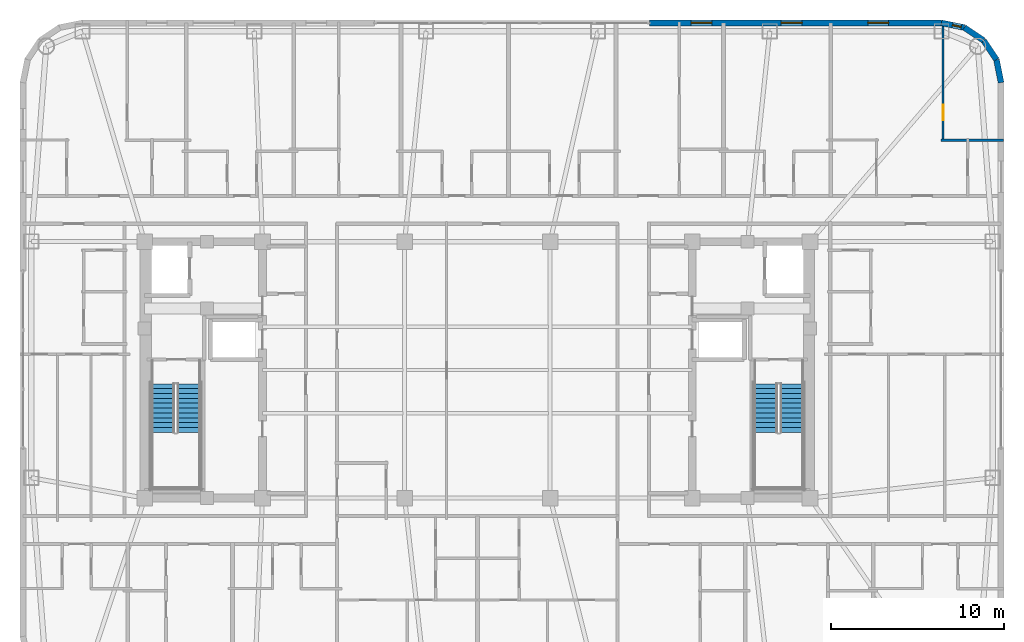
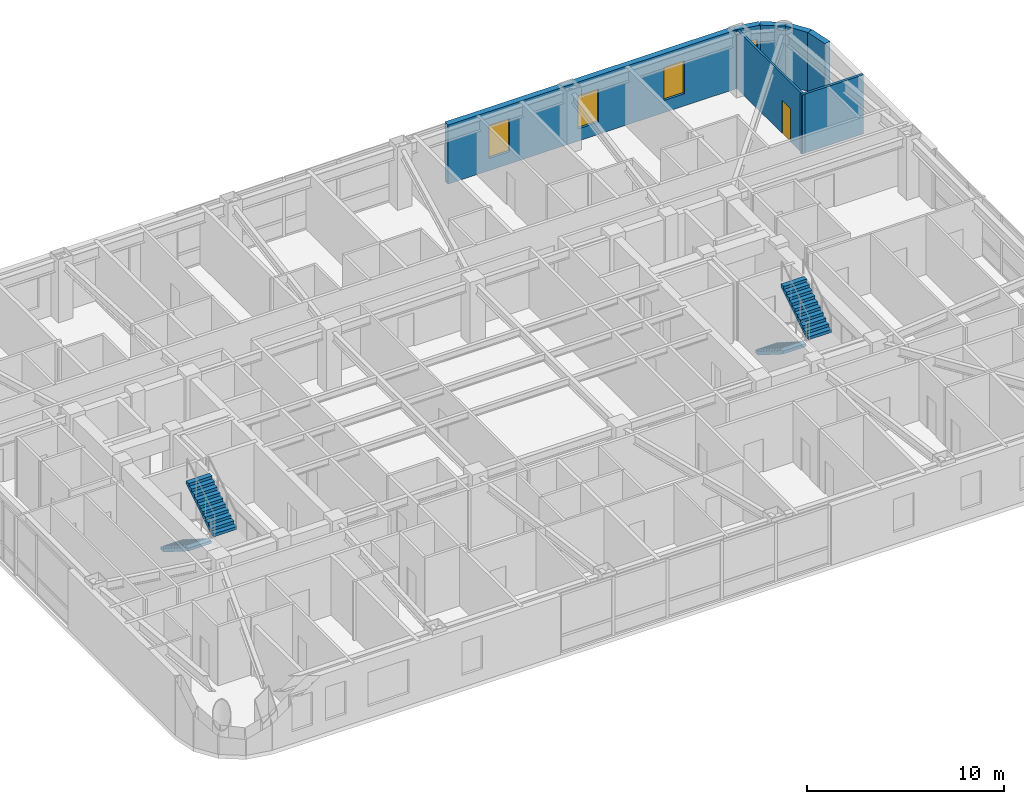
# One storey, part 27 of 29: 7 walls, 4 stair flights, 4 windows, 1 door, 5 openings, 2 elements without a shape of their own.
"""IFC4 building model written with IfcOpenShell, lengths in metres."""

import ifcopenshell
import ifcopenshell.guid

model = None  # the IFC model being written
_history = None  # IfcOwnerHistory: only IFC2X3 demands one
_inside = {}  # id of a spatial element -> (the spatial element, [elements in it])
_under = {}  # id of a project, library or spatial element -> (it, [spatial elements below it])
_declared = {}  # id of a project -> (the project, [libraries it declares])
_typed = {}  # id of a type object -> (the type object, [elements of that type])
_made_of = {}  # id of a material, layer set ... -> (it, [elements and type objects made of it])


def new_model(schema):
    """Start an empty IFC model of exactly this schema.

    Asked for "IFC4X3", IfcOpenShell would pick the latest addendum, in which some entities
    have other attributes; the version numbers below select the first issue.
    IFC2X3 requires an IfcOwnerHistory on every rooted entity: one is made here for all.
    """
    global model, _history
    if schema == "IFC4X3":
        model = ifcopenshell.file(schema_version=(4, 3, 0, 0))
    else:
        model = ifcopenshell.file(schema=schema)
    _inside.clear()
    _under.clear()
    _declared.clear()
    _typed.clear()
    _made_of.clear()
    _history = None
    if model.schema == "IFC2X3":
        org = make("IfcOrganization", Name="unknown")
        user = make(
            "IfcPersonAndOrganization",
            ThePerson=make("IfcPerson", FamilyName="unknown"),
            TheOrganization=org,
        )
        app = make(
            "IfcApplication",
            ApplicationDeveloper=org,
            Version="unknown",
            ApplicationFullName="unknown",
            ApplicationIdentifier="unknown",
        )
        _history = make(
            "IfcOwnerHistory",
            OwningUser=user,
            OwningApplication=app,
            ChangeAction="ADDED",
            CreationDate=0,
        )
    return model


def make(cls, **values):
    """One entity of the class cls with the attributes given. An attribute that is None is left unset."""
    return model.create_entity(
        cls, **{name: value for name, value in values.items() if value is not None}
    )


def rooted(cls, **values):
    """An entity with a GlobalId (a new one), such as an element, a storey or a relation."""
    return make(cls, GlobalId=ifcopenshell.guid.new(), OwnerHistory=_history, **values)


def si_unit(unit_type, name, prefix=None):
    """IfcSIUnit, for example si_unit("LENGTHUNIT", "METRE", prefix="MILLI")."""
    return make("IfcSIUnit", UnitType=unit_type, Prefix=prefix, Name=name)


def assignment(units):
    """IfcUnitAssignment: the units of a project."""
    return None if units is None else make("IfcUnitAssignment", Units=units)


def point(xyz):
    """IfcCartesianPoint."""
    return None if xyz is None else make("IfcCartesianPoint", Coordinates=xyz)


def direction(xyz):
    """IfcDirection."""
    return None if xyz is None else make("IfcDirection", DirectionRatios=xyz)


def frame(location, z_axis=None, x_axis=None):
    """IfcAxis2Placement3D, a coordinate frame: its origin and axes. An axis left out is left unset."""
    return make(
        "IfcAxis2Placement3D",
        Location=point(location),
        Axis=direction(z_axis),
        RefDirection=direction(x_axis),
    )


def frame_2d(location, x_axis=None):
    """IfcAxis2Placement2D, a coordinate frame in the plane: its origin and x axis."""
    return make(
        "IfcAxis2Placement2D", Location=point(location), RefDirection=direction(x_axis)
    )


def origin():
    """The frame at (0, 0, 0) with its axes left unset."""
    return frame((0.0, 0.0, 0.0))


def place(relative_to, where):
    """IfcLocalPlacement: puts the frame where relative to a parent placement (None: the world)."""
    return make(
        "IfcLocalPlacement", PlacementRelTo=relative_to, RelativePlacement=where
    )


def context(
    kind, dimensions, precision=None, world=None, true_north=None, identifier=None
):
    """IfcGeometricRepresentationContext, for example the 3D "Model" context."""
    return make(
        "IfcGeometricRepresentationContext",
        ContextIdentifier=identifier,
        ContextType=kind,
        CoordinateSpaceDimension=dimensions,
        Precision=precision,
        WorldCoordinateSystem=world,
        TrueNorth=true_north,
    )


def subcontext(parent, identifier, kind, view, scale=None):
    """IfcGeometricRepresentationSubContext, for example "Body" below "Model"."""
    return make(
        "IfcGeometricRepresentationSubContext",
        ContextIdentifier=identifier,
        ContextType=kind,
        ParentContext=parent,
        TargetScale=scale,
        TargetView=view,
    )


def project(units=None, contexts=None):
    """IfcProject with its units and contexts."""
    return rooted(
        "IfcProject",
        Name="project",
        RepresentationContexts=contexts,
        UnitsInContext=assignment(units),
    )


def spatial(cls, under=None, at=None, **own):
    """A site, building, storey or space (cls), placed at a placement, below another one or the project."""
    s = rooted(cls, ObjectPlacement=at, **own)
    if under is not None:
        _under.setdefault(under.id(), (under, []))[1].append(s)
    return s


def polyline(points):
    """IfcPolyline through the points."""
    return make("IfcPolyline", Points=[point(p) for p in points])


def profile(cls, at=None, kind="AREA", **sizes):
    """A parametric profile (cls). Its sizes go by their IFC names, for example OverallWidth=200.0."""
    return make(cls, ProfileType=kind, Position=at, **sizes)


def rectangle(**sizes):
    """IfcRectangleProfileDef."""
    return profile("IfcRectangleProfileDef", **sizes)


def outline(outer, holes=None, kind="AREA"):
    """IfcArbitraryClosedProfileDef: a profile drawn as a closed curve; with holes, ...WithVoids."""
    if holes is None:
        return make("IfcArbitraryClosedProfileDef", ProfileType=kind, OuterCurve=outer)
    return make(
        "IfcArbitraryProfileDefWithVoids",
        ProfileType=kind,
        OuterCurve=outer,
        InnerCurves=holes,
    )


def extrude(swept, where, along, depth):
    """IfcExtrudedAreaSolid: the profile swept, set in the frame where, extruded along a direction by depth."""
    return make(
        "IfcExtrudedAreaSolid",
        SweptArea=swept,
        Position=where,
        ExtrudedDirection=direction(along),
        Depth=depth,
    )


def shape(context_of_items, identifier, shape_type, items):
    """IfcShapeRepresentation: the items that make up one representation, for example the "Body"."""
    return make(
        "IfcShapeRepresentation",
        ContextOfItems=context_of_items,
        RepresentationIdentifier=identifier,
        RepresentationType=shape_type,
        Items=items,
    )


def material(Name=None, Category=None):
    """IfcMaterial."""
    return make("IfcMaterial", Name=Name, Category=Category)


def layer(
    of_material, thickness, ventilated=None, Name=None, Category=None, Priority=None
):
    """IfcMaterialLayer: one layer of a wall or slab, of a material (None: an air gap)."""
    return make(
        "IfcMaterialLayer",
        Material=of_material,
        LayerThickness=thickness,
        IsVentilated=ventilated,
        Name=Name,
        Category=Category,
        Priority=Priority,
    )


def layer_set(layers, Name=None):
    """IfcMaterialLayerSet."""
    return make("IfcMaterialLayerSet", MaterialLayers=layers, LayerSetName=Name)


def made_of(thing, what):
    """Note that an element or type object is made of a material, layer set ...; save() writes the relation."""
    if what is not None:
        _made_of.setdefault(what.id(), (what, []))[1].append(thing)
    return thing


def type_object(cls, material=None, **own):
    """A type object (cls), such as IfcWallType, which elements share."""
    return made_of(rooted(cls, **own), material)


def element(
    cls,
    number,
    at=None,
    inside=None,
    cuts=None,
    type_object=None,
    material=None,
    context=None,
    identifier="Body",
    shape_type=None,
    held_by="IfcProductDefinitionShape",
    body=None,
    shapes=None,
    **own,
):
    """One element of the class cls, such as IfcWall. Its Tag is "e" and its number.

    at: its placement. inside: the storey or other place that contains it. cuts: it is an
    opening in that element (IfcRelVoidsElement). A single representation is given by context,
    identifier, shape_type and body (its items); several are given by shapes. held_by: the class
    of the entity that holds the representations. save() writes the other relations.
    """
    e = rooted(cls, Tag="e%d" % number, ObjectPlacement=at, **own)
    if body is not None:
        shapes = [shape(context, identifier, shape_type, body)]
    if shapes is not None:
        e.Representation = make(held_by, Representations=shapes)
    if inside is not None:
        _inside.setdefault(inside.id(), (inside, []))[1].append(e)
    if cuts is not None:
        rooted(
            "IfcRelVoidsElement", RelatingBuildingElement=cuts, RelatedOpeningElement=e
        )
    if type_object is not None:
        _typed.setdefault(type_object.id(), (type_object, []))[1].append(e)
    return made_of(e, material)


def fill(opening, filler):
    """IfcRelFillsElement: the door or window that sits in an opening."""
    return rooted(
        "IfcRelFillsElement",
        RelatingOpeningElement=opening,
        RelatedBuildingElement=filler,
    )


def aggregate(whole, parts):
    """IfcRelAggregates: a whole, such as a stair, and the parts it consists of."""
    return rooted("IfcRelAggregates", RelatingObject=whole, RelatedObjects=parts)


def save(model, path):
    """Write the relations noted so far, then the file.

    IfcRelAggregates (storeys below a building ...), IfcRelContainedInSpatialStructure (elements
    in a storey), IfcRelDefinesByType, IfcRelAssociatesMaterial and IfcRelDeclares: one each for
    every whole, place, type object, material and project.
    """
    for whole, parts in _under.values():
        aggregate(whole, parts)
    for where, things in _inside.values():
        rooted(
            "IfcRelContainedInSpatialStructure",
            RelatedElements=things,
            RelatingStructure=where,
        )
    for kind, things in _typed.values():
        rooted("IfcRelDefinesByType", RelatedObjects=things, RelatingType=kind)
    for what, things in _made_of.values():
        rooted("IfcRelAssociatesMaterial", RelatedObjects=things, RelatingMaterial=what)
    for by, libraries in _declared.values():
        rooted("IfcRelDeclares", RelatingContext=by, RelatedDefinitions=libraries)
    model.write(path)


model = new_model("IFC4")

# Units and contexts
model_context = context("Model", 3, precision=1e-05, world=origin(), true_north=direction((0.0, 1.0)))
body_context = subcontext(model_context, "Body", "Model", "MODEL_VIEW")
ifc_project = project(units=[si_unit("LENGTHUNIT", "METRE"), si_unit("AREAUNIT", "SQUARE_METRE"), si_unit("VOLUMEUNIT", "CUBIC_METRE"), si_unit("PLANEANGLEUNIT", "RADIAN"), si_unit("MASSUNIT", "GRAM", prefix="KILO")], contexts=[model_context])

# Site, building, storey
site_placement = place(None, origin())
site = spatial("IfcSite", under=ifc_project, at=site_placement, CompositionType="ELEMENT")
building_placement = place(site_placement, origin())
building = spatial("IfcBuilding", under=site, at=building_placement, Name="Voryun Gate Residences", CompositionType="ELEMENT")
storey_placement = place(building_placement, frame((0.0, 0.0, 211.89990234375)))
storey = spatial("IfcBuildingStorey", under=building, at=storey_placement, Name="L52", CompositionType="ELEMENT", Elevation=211.89990234375)

# Wall, openings, windows
ifc_material_1 = material(Name="Charcoal terracotta masonry", Category="masonry")
ifc_layer_1 = layer(ifc_material_1, 0.340087890625, Name="W_EXT_TERRACOTTA_340")
ifc_layer_set_1 = layer_set([ifc_layer_1], Name="Charcoal terracotta masonry")
wall_type_1 = type_object("IfcWallType", Name="W_EXT_TERRACOTTA_340", PredefinedType="ELEMENTEDWALL", material=ifc_layer_set_1)
wall_1_placement = place(storey_placement, frame((9.9306640625, 20.030029296875, 0.0), z_axis=(0.0, 0.0, 1.0), x_axis=(1.0, 0.0, 0.0)))
wall_1 = element("IfcWall", 1, at=wall_1_placement, inside=storey, type_object=wall_type_1, Name="Exterior wall WEXT-L52-11B", PredefinedType="ELEMENTEDWALL", context=body_context, shape_type="SweptSolid", body=[
    extrude(rectangle(XDim=16.8525390625, YDim=0.340087890625, at=frame_2d((8.42626953125, 0.0))), origin(), (0.0, 0.0, 1.0), 3.650146484375),
])
opening_1_placement = place(wall_1_placement, frame((2.40185546875, 0.0, 0.75)))
opening_1 = element("IfcOpeningElement", 2, at=opening_1_placement, cuts=wall_1, Name="Opening WN6", PredefinedType="OPENING", context=body_context, shape_type="SweptSolid", body=[
    extrude(rectangle(XDim=1.199951171875, YDim=2.050048828125, at=frame_2d((0.60009765625, 1.02490234375))), frame((0.0, 0.179931640625, 0.0), z_axis=(0.0, -1.0, 0.0), x_axis=(1.0, 0.0, 0.0)), (0.0, 0.0, 1.0), 0.360107421875),
])
opening_2_placement = place(wall_1_placement, frame((7.609375, 0.0, 0.75)))
opening_2 = element("IfcOpeningElement", 3, at=opening_2_placement, cuts=wall_1, Name="Opening WN6", PredefinedType="OPENING", context=body_context, shape_type="SweptSolid", body=[
    extrude(rectangle(XDim=1.199951171875, YDim=2.050048828125, at=frame_2d((0.60009765625, 1.02490234375))), frame((0.0, 0.179931640625, 0.0), z_axis=(0.0, -1.0, 0.0), x_axis=(1.0, 0.0, 0.0)), (0.0, 0.0, 1.0), 0.360107421875),
])
opening_3_placement = place(wall_1_placement, frame((12.615966796875, 0.0, 0.75)))
opening_3 = element("IfcOpeningElement", 4, at=opening_3_placement, cuts=wall_1, Name="Opening WN6", PredefinedType="OPENING", context=body_context, shape_type="SweptSolid", body=[
    extrude(rectangle(XDim=1.199951171875, YDim=2.050048828125, at=frame_2d((0.60009765625, 1.02490234375))), frame((0.0, 0.179931640625, 0.0), z_axis=(0.0, -1.0, 0.0), x_axis=(1.0, 0.0, 0.0)), (0.0, 0.0, 1.0), 0.360107421875),
])
ifc_material_2 = material(Name="Laminated low-E glass", Category="glass")
window_type_1 = type_object("IfcWindowType", Name="WN_POD_SLOT_1200", PartitioningType="SINGLE_PANEL", PredefinedType="WINDOW", material=ifc_material_2)
window_1_placement = place(opening_1_placement, origin())
window_1 = element("IfcWindow", 5, at=window_1_placement, inside=storey, type_object=window_type_1, Name="Window WN-L52-DWFIX-04", OverallHeight=2.050048828125, OverallWidth=1.199951171875, PartitioningType="SINGLE_PANEL", PredefinedType="WINDOW", context=body_context, shape_type="SweptSolid", body=[
    extrude(rectangle(XDim=1.199951171875, YDim=2.050048828125, at=frame_2d((0.60009765625, 1.02490234375))), frame((0.0, 0.030029296875, 0.0), z_axis=(0.0, -1.0, 0.0), x_axis=(1.0, 0.0, 0.0)), (0.0, 0.0, 1.0), 0.06005859375),
])
fill(opening_1, window_1)
window_2_placement = place(opening_2_placement, origin())
window_2 = element("IfcWindow", 6, at=window_2_placement, inside=storey, type_object=window_type_1, Name="Window WN-L52-DWFIX-05", OverallHeight=2.050048828125, OverallWidth=1.199951171875, PartitioningType="SINGLE_PANEL", PredefinedType="WINDOW", context=body_context, shape_type="SweptSolid", body=[
    extrude(rectangle(XDim=1.199951171875, YDim=2.050048828125, at=frame_2d((0.60009765625, 1.02490234375))), frame((0.0, 0.030029296875, 0.0), z_axis=(0.0, -1.0, 0.0), x_axis=(1.0, 0.0, 0.0)), (0.0, 0.0, 1.0), 0.06005859375),
])
fill(opening_2, window_2)
window_3_placement = place(opening_3_placement, origin())
window_3 = element("IfcWindow", 7, at=window_3_placement, inside=storey, type_object=window_type_1, Name="Window WN-L52-DWFIX-06", OverallHeight=2.050048828125, OverallWidth=1.199951171875, PartitioningType="SINGLE_PANEL", PredefinedType="WINDOW", context=body_context, shape_type="SweptSolid", body=[
    extrude(rectangle(XDim=1.199951171875, YDim=2.050048828125, at=frame_2d((0.60009765625, 1.02490234375))), frame((0.0, 0.030029296875, 0.0), z_axis=(0.0, -1.0, 0.0), x_axis=(1.0, 0.0, 0.0)), (0.0, 0.0, 1.0), 0.06005859375),
])
fill(opening_3, window_3)

# Wall, opening, window
wall_2_placement = place(storey_placement, frame((26.783203125, 20.030029296875, 0.0), z_axis=(0.0, 0.0, 1.0), x_axis=(0.980788153188, -0.195075878998, 0.0)))
wall_2 = element("IfcWall", 8, at=wall_2_placement, inside=storey, type_object=wall_type_1, Name="Exterior wall WEXT-L52-12", PredefinedType="ELEMENTEDWALL", context=body_context, shape_type="SweptSolid", body=[
    extrude(rectangle(XDim=1.354248046875, YDim=0.340087890625, at=frame_2d((0.67724609375, 0.0))), origin(), (0.0, 0.0, 1.0), 3.650146484375),
])
opening_4_placement = place(wall_2_placement, frame((0.656982421875, 0.0, 0.75)))
opening_4 = element("IfcOpeningElement", 9, at=opening_4_placement, cuts=wall_2, Name="Opening WN10", PredefinedType="OPENING", context=body_context, shape_type="SweptSolid", body=[
    extrude(rectangle(XDim=0.52001953125, YDim=2.050048828125, at=frame_2d((0.260009765625, 1.02490234375))), frame((0.0, 0.179931640625, 0.0), z_axis=(0.0, -1.0, 0.0), x_axis=(1.0, 0.0, 0.0)), (0.0, 0.0, 1.0), 0.360107421875),
])
ifc_material_3 = material(Name="Laminated low-E glass", Category="glass")
window_type_2 = type_object("IfcWindowType", Name="WN_PAGODA_LANCET_520", PartitioningType="SINGLE_PANEL", PredefinedType="WINDOW", material=ifc_material_3)
window_4_placement = place(opening_4_placement, origin())
window_4 = element("IfcWindow", 10, at=window_4_placement, inside=storey, type_object=window_type_2, Name="Window WN-L52-DWFIX-07", OverallHeight=2.050048828125, OverallWidth=0.52001953125, PartitioningType="SINGLE_PANEL", PredefinedType="WINDOW", context=body_context, shape_type="SweptSolid", body=[
    extrude(rectangle(XDim=0.52001953125, YDim=2.050048828125, at=frame_2d((0.260009765625, 1.02490234375))), frame((0.0, 0.030029296875, 0.0), z_axis=(0.0, -1.0, 0.0), x_axis=(1.0, 0.0, 0.0)), (0.0, 0.0, 1.0), 0.06005859375),
])
fill(opening_4, window_4)

# Walls
for number, where, z_axis, x_axis, name in (
    (11, (28.111328125, 19.765869140625, 0.0), (0.0, 0.0, 1.0), (0.831403586725, -0.555669034571, 0.0), "Exterior wall WEXT-L52-13"),
    (12, (29.222900390625, 19.02294921875, 0.0), (0.0, 0.0, 1.0), (0.555669034571, -0.831403586725, 0.0), "Exterior wall WEXT-L52-14"),
):
    element("IfcWall", number, at=place(storey_placement, frame(where, z_axis=z_axis, x_axis=x_axis)), inside=storey, type_object=wall_type_1, Name=name, PredefinedType="ELEMENTEDWALL", context=body_context, shape_type="SweptSolid", body=[
        extrude(rectangle(XDim=1.3369140625, YDim=0.340087890625, at=frame_2d((0.66845703125, 0.0))), origin(), (0.0, 0.0, 1.0), 3.650146484375),
    ])
wall_3_placement = place(storey_placement, frame((29.9658203125, 17.911376953125, 0.0), z_axis=(0.0, 0.0, 1.0), x_axis=(0.195075878998, -0.980788153188, 0.0)))
element("IfcWall", 13, at=wall_3_placement, inside=storey, type_object=wall_type_1, Name="Exterior wall WEXT-L52-15", PredefinedType="ELEMENTEDWALL", context=body_context, shape_type="SweptSolid", body=[
    extrude(rectangle(XDim=1.354248046875, YDim=0.340087890625, at=frame_2d((0.67724609375, 0.0))), origin(), (0.0, 0.0, 1.0), 3.650146484375),
])

# Wall, opening, door
ifc_material_4 = material(Name="Gypsum acoustic partition")
ifc_layer_2 = layer(ifc_material_4, 0.125, Name="W_UNIT_PART_125")
ifc_layer_set_2 = layer_set([ifc_layer_2], Name="Gypsum acoustic partition")
wall_type_2 = type_object("IfcWallType", Name="W_UNIT_PART_125", PredefinedType="PARTITIONING", material=ifc_layer_set_2)
wall_4_placement = place(storey_placement, frame((26.886962890625, 13.18994140625, 0.0), z_axis=(0.0, 0.0, 1.0), x_axis=(0.0, 1.0, 0.0)))
wall_4 = element("IfcWall", 14, at=wall_4_placement, inside=storey, type_object=wall_type_2, Name="Partition wall WP-L52-N8-OVR", PredefinedType="PARTITIONING", context=body_context, shape_type="SweptSolid", body=[
    extrude(rectangle(XDim=6.972412109375, YDim=0.125, at=frame_2d((3.486328125, 0.0))), origin(), (0.0, 0.0, 1.0), 3.650146484375),
])
opening_5_placement = place(wall_4_placement, frame((1.223388671875, 0.0, 0.0)))
opening_5 = element("IfcOpeningElement", 15, at=opening_5_placement, cuts=wall_4, Name="Opening D-INT-2", PredefinedType="OPENING", context=body_context, shape_type="SweptSolid", body=[
    extrude(rectangle(XDim=0.89990234375, YDim=2.050048828125, at=frame_2d((0.449951171875, 1.02490234375))), frame((0.0, 0.072509765625, 0.0), z_axis=(0.0, -1.0, 0.0), x_axis=(1.0, 0.0, 0.0)), (0.0, 0.0, 1.0), 0.14501953125),
])
ifc_material_5 = material(Name="Architectural oak veneer")
door_type = type_object("IfcDoorType", Name="DR_INT_BATH_900", OperationType="NOTDEFINED", PredefinedType="DOOR", material=ifc_material_5)
door_placement = place(opening_5_placement, origin())
door = element("IfcDoor", 16, at=door_placement, inside=storey, type_object=door_type, Name="Door DR-L52-N8-DMB", OperationType="SINGLE_SWING_RIGHT", OverallHeight=2.050048828125, OverallWidth=0.89990234375, PredefinedType="DOOR", context=body_context, shape_type="SweptSolid", body=[
    extrude(rectangle(XDim=0.89990234375, YDim=2.050048828125, at=frame_2d((0.449951171875, 1.02490234375))), frame((0.0, 0.02490234375, 0.0), z_axis=(0.0, -1.0, 0.0), x_axis=(1.0, 0.0, 0.0)), (0.0, 0.0, 1.0), 0.050048828125),
])
fill(opening_5, door)

# Wall
ifc_material_6 = material(Name="Gypsum moisture-resistant partition")
ifc_layer_3 = layer(ifc_material_6, 0.14990234375, Name="W_WET_PLUMB_150")
ifc_layer_set_3 = layer_set([ifc_layer_3], Name="Gypsum moisture-resistant partition")
wall_type_3 = type_object("IfcWallType", Name="W_WET_PLUMB_150", PredefinedType="PLUMBINGWALL", material=ifc_layer_set_3)
wall_5_placement = place(storey_placement, frame((26.76708984375, 13.27001953125, 0.0), z_axis=(0.0, 0.0, 1.0), x_axis=(1.0, 0.0, 0.0)))
element("IfcWall", 17, at=wall_5_placement, inside=storey, type_object=wall_type_3, Name="Partition wall WP-L52-N8-HZB", PredefinedType="PLUMBINGWALL", context=body_context, shape_type="SweptSolid", body=[
    extrude(rectangle(XDim=3.61279296875, YDim=0.14990234375, at=frame_2d((1.806396484375, 0.0))), origin(), (0.0, 0.0, 1.0), 3.650146484375),
])

# Stair, stair flights
ifc_material_7 = material(Name="Concrete C40/50", Category="concrete")
stair_type = type_object("IfcStairType", Name="STR_CORE_DOGLEG_1350", PredefinedType="HALF_TURN_STAIR", material=ifc_material_7)
stair_1_placement = place(storey_placement, origin())
stair_1 = element("IfcStair", 18, at=stair_1_placement, inside=storey, type_object=stair_type, Name="L52 Special Escape Stair ST-W1", PredefinedType="HALF_TURN_STAIR")
ifc_material_8 = material(Name="Concrete C40/50", Category="concrete")
stair_flight_type = type_object("IfcStairFlightType", Name="FLT_CORE_1350", PredefinedType="STRAIGHT", material=ifc_material_8)
stair_flight_1_placement = place(storey_placement, frame((-18.14990234375, -0.800048828125, 0.0), z_axis=(0.0, 0.0, 1.0), x_axis=(0.0, -1.0, 0.0)))
stair_flight_1 = element("IfcStairFlight", 19, at=stair_flight_1_placement, type_object=stair_flight_type, Name="ST-W1 flight 1", NumberOfRisers=11, NumberOfTreads=10, PredefinedType="STRAIGHT", RiserHeight=0.177272727, TreadLength=0.28, context=body_context, shape_type="SweptSolid", body=[
    extrude(outline(polyline([(0.0, 0.0), (0.0, 0.17724609375), (0.280029296875, 0.17724609375), (0.280029296875, 0.3544921875), (0.56005859375, 0.3544921875), (0.56005859375, 0.53173828125), (0.840087890625, 0.53173828125), (0.840087890625, 0.708984375), (1.1201171875, 0.708984375), (1.1201171875, 0.886474609375), (1.39990234375, 0.886474609375), (1.39990234375, 1.063720703125), (1.679931640625, 1.063720703125), (1.679931640625, 1.240966796875), (1.9599609375, 1.240966796875), (1.9599609375, 1.418212890625), (2.239990234375, 1.418212890625), (2.239990234375, 1.595458984375), (2.52001953125, 1.595458984375), (2.52001953125, 1.772705078125), (2.800048828125, 1.772705078125), (2.800048828125, 1.949951171875), (2.800048828125, 1.59521484375), (0.2802734375, 0.0), (0.0, 0.0)])), frame((0.0, 0.675048828125, 0.0), z_axis=(0.0, -1.0, 0.0), x_axis=(1.0, 0.0, 0.0)), (0.0, 0.0, 1.0), 1.35009765625),
])
stair_flight_2_placement = place(storey_placement, frame((-16.64990234375, -3.60009765625, 1.9501953125), z_axis=(0.0, 0.0, 1.0), x_axis=(0.0, 1.0, 0.0)))
stair_flight_2 = element("IfcStairFlight", 20, at=stair_flight_2_placement, type_object=stair_flight_type, Name="ST-W1 flight 2", NumberOfRisers=11, NumberOfTreads=10, PredefinedType="STRAIGHT", RiserHeight=0.177272727, TreadLength=0.28, context=body_context, shape_type="SweptSolid", body=[
    extrude(outline(polyline([(0.0, 0.0), (0.0, 0.17724609375), (0.280029296875, 0.17724609375), (0.280029296875, 0.3544921875), (0.56005859375, 0.3544921875), (0.56005859375, 0.53173828125), (0.840087890625, 0.53173828125), (0.840087890625, 0.708984375), (1.1201171875, 0.708984375), (1.1201171875, 0.886474609375), (1.39990234375, 0.886474609375), (1.39990234375, 1.063720703125), (1.679931640625, 1.063720703125), (1.679931640625, 1.240966796875), (1.9599609375, 1.240966796875), (1.9599609375, 1.418212890625), (2.239990234375, 1.418212890625), (2.239990234375, 1.595458984375), (2.52001953125, 1.595458984375), (2.52001953125, 1.772705078125), (2.800048828125, 1.772705078125), (2.800048828125, 1.949951171875), (2.800048828125, 1.59521484375), (0.2802734375, 0.0), (0.0, 0.0)])), frame((0.0, 0.675048828125, 0.0), z_axis=(0.0, -1.0, 0.0), x_axis=(1.0, 0.0, 0.0)), (0.0, 0.0, 1.0), 1.35009765625),
])
aggregate(stair_1, [stair_flight_1, stair_flight_2])

stair_2_placement = place(storey_placement, origin())
stair_2 = element("IfcStair", 21, at=stair_2_placement, inside=storey, type_object=stair_type, Name="L52 Special Escape Stair ST-E1", PredefinedType="HALF_TURN_STAIR")
stair_flight_3_placement = place(storey_placement, frame((16.64990234375, -0.800048828125, 0.0), z_axis=(0.0, 0.0, 1.0), x_axis=(0.0, -1.0, 0.0)))
stair_flight_3 = element("IfcStairFlight", 22, at=stair_flight_3_placement, type_object=stair_flight_type, Name="ST-E1 flight 1", NumberOfRisers=11, NumberOfTreads=10, PredefinedType="STRAIGHT", RiserHeight=0.177272727, TreadLength=0.28, context=body_context, shape_type="SweptSolid", body=[
    extrude(outline(polyline([(0.0, 0.0), (0.0, 0.17724609375), (0.280029296875, 0.17724609375), (0.280029296875, 0.3544921875), (0.56005859375, 0.3544921875), (0.56005859375, 0.53173828125), (0.840087890625, 0.53173828125), (0.840087890625, 0.708984375), (1.1201171875, 0.708984375), (1.1201171875, 0.886474609375), (1.39990234375, 0.886474609375), (1.39990234375, 1.063720703125), (1.679931640625, 1.063720703125), (1.679931640625, 1.240966796875), (1.9599609375, 1.240966796875), (1.9599609375, 1.418212890625), (2.239990234375, 1.418212890625), (2.239990234375, 1.595458984375), (2.52001953125, 1.595458984375), (2.52001953125, 1.772705078125), (2.800048828125, 1.772705078125), (2.800048828125, 1.949951171875), (2.800048828125, 1.59521484375), (0.2802734375, 0.0), (0.0, 0.0)])), frame((0.0, 0.675048828125, 0.0), z_axis=(0.0, -1.0, 0.0), x_axis=(1.0, 0.0, 0.0)), (0.0, 0.0, 1.0), 1.35009765625),
])
stair_flight_4_placement = place(storey_placement, frame((18.14990234375, -3.60009765625, 1.9501953125), z_axis=(0.0, 0.0, 1.0), x_axis=(0.0, 1.0, 0.0)))
stair_flight_4 = element("IfcStairFlight", 23, at=stair_flight_4_placement, type_object=stair_flight_type, Name="ST-E1 flight 2", NumberOfRisers=11, NumberOfTreads=10, PredefinedType="STRAIGHT", RiserHeight=0.177272727, TreadLength=0.28, context=body_context, shape_type="SweptSolid", body=[
    extrude(outline(polyline([(0.0, 0.0), (0.0, 0.17724609375), (0.280029296875, 0.17724609375), (0.280029296875, 0.3544921875), (0.56005859375, 0.3544921875), (0.56005859375, 0.53173828125), (0.840087890625, 0.53173828125), (0.840087890625, 0.708984375), (1.1201171875, 0.708984375), (1.1201171875, 0.886474609375), (1.39990234375, 0.886474609375), (1.39990234375, 1.063720703125), (1.679931640625, 1.063720703125), (1.679931640625, 1.240966796875), (1.9599609375, 1.240966796875), (1.9599609375, 1.418212890625), (2.239990234375, 1.418212890625), (2.239990234375, 1.595458984375), (2.52001953125, 1.595458984375), (2.52001953125, 1.772705078125), (2.800048828125, 1.772705078125), (2.800048828125, 1.949951171875), (2.800048828125, 1.59521484375), (0.2802734375, 0.0), (0.0, 0.0)])), frame((0.0, 0.675048828125, 0.0), z_axis=(0.0, -1.0, 0.0), x_axis=(1.0, 0.0, 0.0)), (0.0, 0.0, 1.0), 1.35009765625),
])
aggregate(stair_2, [stair_flight_3, stair_flight_4])

save(model, "model.ifc")
